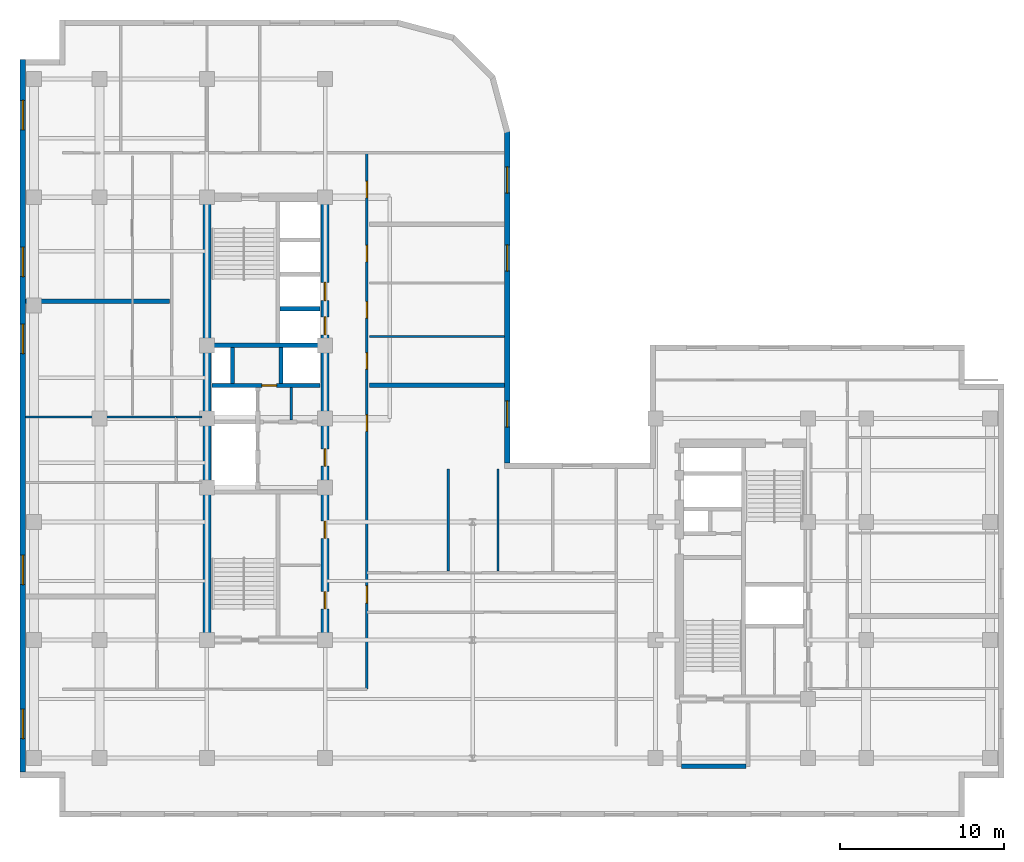
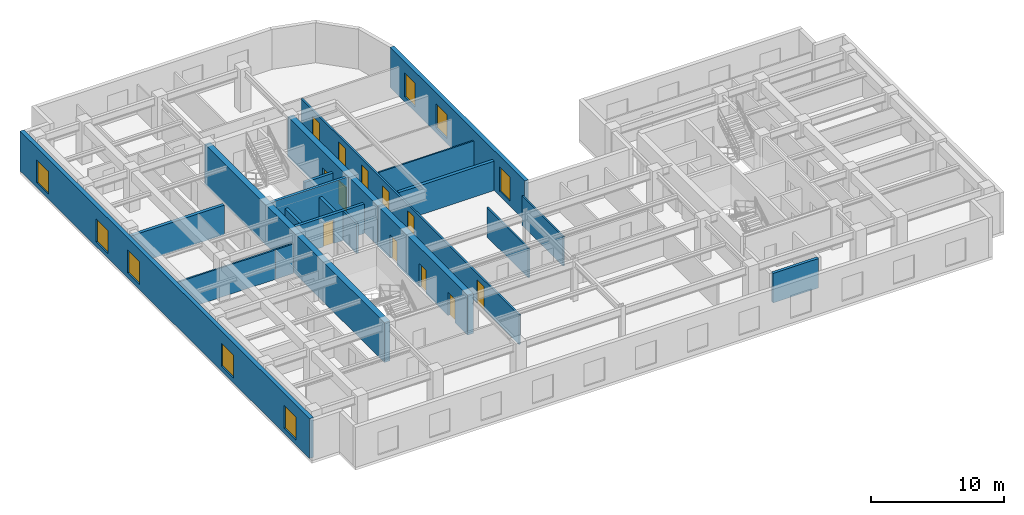
# One storey, part 5 of 11: 20 walls, 12 doors, 8 windows, 20 openings.
"""IFC4 building model written with IfcOpenShell, lengths in metres."""

from ifc_helpers import new_model, entity, si_unit, converted_unit, direction, frame, origin_with_axes, origin_2d_with_axis, place, context, subcontext, project, spatial, polyline, rectangle, outline, extrude, material, layer, layer_set, type_object, element, fill, save


model = new_model("IFC4")

# Units and contexts
model_context = context("Model", 3, precision=1e-05, world=origin_with_axes(), true_north=direction((0.0, 1.0)))
body_context = subcontext(model_context, "Body", "Model", "MODEL_VIEW")
ifc_project = project(units=[si_unit("LENGTHUNIT", "METRE"), si_unit("AREAUNIT", "SQUARE_METRE"), si_unit("VOLUMEUNIT", "CUBIC_METRE"), converted_unit("PLANEANGLEUNIT", "DEGREE", entity("IfcPlaneAngleMeasure", 0.017453292519943295), si_unit("PLANEANGLEUNIT", "RADIAN"), dimensions=[0, 0, 0, 0, 0, 0, 0]), si_unit("MASSUNIT", "GRAM", prefix="KILO"), si_unit("THERMODYNAMICTEMPERATUREUNIT", "KELVIN")], contexts=[model_context])

# Site, building, storey
site_placement = place(None, origin_with_axes())
site = spatial("IfcSite", under=ifc_project, at=site_placement, CompositionType="ELEMENT")
building_placement = place(site_placement, origin_with_axes())
building = spatial("IfcBuilding", under=site, at=building_placement, Name="Varnlund Millrace Tower", CompositionType="ELEMENT")
storey_placement = place(building_placement, frame((0.0, 0.0, 204.3), z_axis=(0.0, 0.0, 1.0), x_axis=(1.0, 0.0, 0.0)))
storey = spatial("IfcBuildingStorey", under=building, at=storey_placement, Name="L50", CompositionType="ELEMENT", Elevation=204.3)

# Wall
ifc_material_1 = material(Name="Concrete C70/85", Category="concrete")
ifc_layer_1 = layer(ifc_material_1, 0.5, Name="Concrete C70/85")
ifc_layer_set_1 = layer_set([ifc_layer_1], Name="Concrete C70/85")
wall_type_1 = type_object("IfcWallType", Name="Type-CoreWall-Shear-500-C70", PredefinedType="SHEAR", material=ifc_layer_set_1)
wall_1_placement = place(storey_placement, frame((11.4, 10.8, 0.0), z_axis=(0.0, 0.0, 1.0), x_axis=(0.0, 1.0, 0.0)))
element("IfcWall", 1, at=wall_1_placement, inside=storey, type_object=wall_type_1, Name="Type-CoreWall-Shear-500-C70", PredefinedType="SHEAR", context=body_context, shape_type="SweptSolid", body=[
    extrude(outline(polyline([(0.0, -0.25), (27.0, -0.25), (27.0, 0.25), (0.0, 0.25), (0.0, -0.25)])), origin_with_axes(), (0.0, 0.0, 1.0), 3.66),
])

# Wall, openings, doors
wall_2_placement = place(storey_placement, frame((18.6, 10.8, 0.0), z_axis=(0.0, 0.0, 1.0), x_axis=(0.0, 1.0, 0.0)))
wall_2 = element("IfcWall", 2, at=wall_2_placement, inside=storey, type_object=wall_type_1, Name="Type-CoreWall-Shear-500-C70", PredefinedType="SHEAR", context=body_context, shape_type="SweptSolid", body=[
    extrude(outline(polyline([(0.0, -0.25), (13.5, -0.25), (13.5, 0.25), (0.0, 0.25), (0.0, -0.25)])), origin_with_axes(), (0.0, 0.0, 1.0), 3.66),
])
opening_1_placement = place(wall_2_placement, frame((11.125, 0.0, 0.0), z_axis=(0.0, 0.0, 1.0), x_axis=(1.0, 0.0, 0.0)))
opening_1 = element("IfcOpeningElement", 3, at=opening_1_placement, cuts=wall_2, Name="Opening L50:DR-FFLOB-A", PredefinedType="OPENING", context=body_context, shape_type="SweptSolid", body=[
    extrude(rectangle(XDim=1.05, YDim=0.52, at=origin_2d_with_axis()), origin_with_axes(), (0.0, 0.0, 1.0), 2.15),
])
opening_2_placement = place(wall_2_placement, frame((2.425, 0.0, 0.0), z_axis=(0.0, 0.0, 1.0), x_axis=(1.0, 0.0, 0.0)))
opening_2 = element("IfcOpeningElement", 4, at=opening_2_placement, cuts=wall_2, Name="Opening L50:DR-RECL-A1-1", PredefinedType="OPENING", context=body_context, shape_type="SweptSolid", body=[
    extrude(rectangle(XDim=1.05, YDim=0.52, at=origin_2d_with_axis()), origin_with_axes(), (0.0, 0.0, 1.0), 2.15),
])
opening_3_placement = place(wall_2_placement, frame((6.725, 0.0, 0.0), z_axis=(0.0, 0.0, 1.0), x_axis=(1.0, 0.0, 0.0)))
opening_3 = element("IfcOpeningElement", 5, at=opening_3_placement, cuts=wall_2, Name="Opening L50:DR-RECL-A1-2", PredefinedType="OPENING", context=body_context, shape_type="SweptSolid", body=[
    extrude(rectangle(XDim=1.05, YDim=0.52, at=origin_2d_with_axis()), origin_with_axes(), (0.0, 0.0, 1.0), 2.15),
])
ifc_material_2 = material(Name="Smoke-barrier hollow steel fire door", Category="steel")
door_type_1 = type_object("IfcDoorType", Name="Type-FireDoor-Lobby-1050X2150", OperationType="NOTDEFINED", PredefinedType="DOOR", material=ifc_material_2)
door_1_placement = place(wall_2_placement, frame((11.125, 0.0, 0.0), z_axis=(0.0, 0.0, 1.0), x_axis=(1.0, 0.0, 0.0)))
door_1 = element("IfcDoor", 6, at=door_1_placement, inside=storey, type_object=door_type_1, Name="Type-FireDoor-Lobby-1050X2150", OperationType="SINGLE_SWING_LEFT", OverallHeight=2.15, OverallWidth=1.05, PredefinedType="DOOR", context=body_context, shape_type="SweptSolid", body=[
    extrude(rectangle(XDim=1.05, YDim=0.09, at=origin_2d_with_axis()), origin_with_axes(), (0.0, 0.0, 1.0), 2.15),
])
fill(opening_1, door_1)
door_2_placement = place(wall_2_placement, frame((2.425, 0.0, 0.0), z_axis=(0.0, 0.0, 1.0), x_axis=(1.0, 0.0, 0.0)))
door_2 = element("IfcDoor", 7, at=door_2_placement, inside=storey, type_object=door_type_1, Name="Type-FireDoor-Lobby-1050X2150", OperationType="SINGLE_SWING_LEFT", OverallHeight=2.15, OverallWidth=1.05, PredefinedType="DOOR", context=body_context, shape_type="SweptSolid", body=[
    extrude(rectangle(XDim=1.05, YDim=0.09, at=origin_2d_with_axis()), origin_with_axes(), (0.0, 0.0, 1.0), 2.15),
])
fill(opening_2, door_2)
door_3_placement = place(wall_2_placement, frame((6.725, 0.0, 0.0), z_axis=(0.0, 0.0, 1.0), x_axis=(1.0, 0.0, 0.0)))
door_3 = element("IfcDoor", 8, at=door_3_placement, inside=storey, type_object=door_type_1, Name="Type-FireDoor-Lobby-1050X2150", OperationType="SINGLE_SWING_RIGHT", OverallHeight=2.15, OverallWidth=1.05, PredefinedType="DOOR", context=body_context, shape_type="SweptSolid", body=[
    extrude(rectangle(XDim=1.05, YDim=0.09, at=origin_2d_with_axis()), origin_with_axes(), (0.0, 0.0, 1.0), 2.15),
])
fill(opening_3, door_3)

wall_3_placement = place(storey_placement, frame((18.6, 24.3, 0.0), z_axis=(0.0, 0.0, 1.0), x_axis=(0.0, 1.0, 0.0)))
wall_3 = element("IfcWall", 9, at=wall_3_placement, inside=storey, type_object=wall_type_1, Name="Type-CoreWall-Shear-500-C70", PredefinedType="SHEAR", context=body_context, shape_type="SweptSolid", body=[
    extrude(outline(polyline([(0.0, -0.25), (13.5, -0.25), (13.5, 0.25), (0.0, 0.25), (0.0, -0.25)])), origin_with_axes(), (0.0, 0.0, 1.0), 3.66),
])
opening_4_placement = place(wall_3_placement, frame((5.65, 0.0, 0.0), z_axis=(0.0, 0.0, 1.0), x_axis=(1.0, 0.0, 0.0)))
opening_4 = element("IfcOpeningElement", 10, at=opening_4_placement, cuts=wall_3, Name="Opening L50:LD-ELV-M1", PredefinedType="OPENING", context=body_context, shape_type="SweptSolid", body=[
    extrude(rectangle(XDim=1.1, YDim=0.52, at=origin_2d_with_axis()), origin_with_axes(), (0.0, 0.0, 1.0), 2.15),
])
opening_5_placement = place(wall_3_placement, frame((7.75, 0.0, 0.0), z_axis=(0.0, 0.0, 1.0), x_axis=(1.0, 0.0, 0.0)))
opening_5 = element("IfcOpeningElement", 11, at=opening_5_placement, cuts=wall_3, Name="Opening L50:LD-ELV-M2", PredefinedType="OPENING", context=body_context, shape_type="SweptSolid", body=[
    extrude(rectangle(XDim=1.1, YDim=0.52, at=origin_2d_with_axis()), origin_with_axes(), (0.0, 0.0, 1.0), 2.15),
])
ifc_material_3 = material(Name="Stainless and architectural bronze sliding landing door")
door_type_2 = type_object("IfcDoorType", Name="Type-LiftLandingDoor-1100X2150", OperationType="NOTDEFINED", PredefinedType="DOOR", material=ifc_material_3)
door_4_placement = place(wall_3_placement, frame((5.65, 0.0, 0.0), z_axis=(0.0, 0.0, 1.0), x_axis=(1.0, 0.0, 0.0)))
door_4 = element("IfcDoor", 12, at=door_4_placement, inside=storey, type_object=door_type_2, Name="Type-LiftLandingDoor-1100X2150", OperationType="SLIDING_TO_LEFT", OverallHeight=2.15, OverallWidth=1.1, PredefinedType="DOOR", context=body_context, shape_type="SweptSolid", body=[
    extrude(rectangle(XDim=1.1, YDim=0.09, at=origin_2d_with_axis()), origin_with_axes(), (0.0, 0.0, 1.0), 2.15),
])
fill(opening_4, door_4)
door_5_placement = place(wall_3_placement, frame((7.75, 0.0, 0.0), z_axis=(0.0, 0.0, 1.0), x_axis=(1.0, 0.0, 0.0)))
door_5 = element("IfcDoor", 13, at=door_5_placement, inside=storey, type_object=door_type_2, Name="Type-LiftLandingDoor-1100X2150", OperationType="SLIDING_TO_RIGHT", OverallHeight=2.15, OverallWidth=1.1, PredefinedType="DOOR", context=body_context, shape_type="SweptSolid", body=[
    extrude(rectangle(XDim=1.1, YDim=0.09, at=origin_2d_with_axis()), origin_with_axes(), (0.0, 0.0, 1.0), 2.15),
])
fill(opening_5, door_5)

# Wall, openings, windows
ifc_material_4 = material(Name="Precast concrete C50/60", Category="concrete")
ifc_layer_2 = layer(ifc_material_4, 0.34, Name="Precast concrete C50/60")
ifc_layer_set_2 = layer_set([ifc_layer_2], Name="Precast concrete C50/60")
wall_type_2 = type_object("IfcWallType", Name="Type-ExtWall-Precast-Upper-340", PredefinedType="SOLIDWALL", material=ifc_layer_set_2)
wall_4_placement = place(storey_placement, frame((0.17, 2.74, 0.0), z_axis=(0.0, 0.0, 1.0), x_axis=(0.0, 1.0, 0.0)))
wall_4 = element("IfcWall", 14, at=wall_4_placement, inside=storey, type_object=wall_type_2, Name="Type-ExtWall-Precast-Upper-340", PredefinedType="SOLIDWALL", context=body_context, shape_type="SweptSolid", body=[
    extrude(outline(polyline([(0.0, -0.17), (43.46, -0.17), (43.46, 0.17), (0.0, 0.17), (0.0, -0.17)])), origin_with_axes(), (0.0, 0.0, 1.0), 3.66),
])
opening_6_placement = place(wall_4_placement, frame((2.948, 0.0, 0.45), z_axis=(0.0, 0.0, 1.0), x_axis=(1.0, 0.0, 0.0)))
opening_6 = element("IfcOpeningElement", 15, at=opening_6_placement, cuts=wall_4, Name="Opening L50:WN-19", PredefinedType="OPENING", context=body_context, shape_type="SweptSolid", body=[
    extrude(rectangle(XDim=1.8, YDim=0.36, at=origin_2d_with_axis()), origin_with_axes(), (0.0, 0.0, 1.0), 2.1),
])
opening_7_placement = place(wall_4_placement, frame((12.339, 0.0, 0.45), z_axis=(0.0, 0.0, 1.0), x_axis=(1.0, 0.0, 0.0)))
opening_7 = element("IfcOpeningElement", 16, at=opening_7_placement, cuts=wall_4, Name="Opening L50:WN-20", PredefinedType="OPENING", context=body_context, shape_type="SweptSolid", body=[
    extrude(rectangle(XDim=1.8, YDim=0.36, at=origin_2d_with_axis()), origin_with_axes(), (0.0, 0.0, 1.0), 2.1),
])
opening_8_placement = place(wall_4_placement, frame((26.426, 0.0, 0.45), z_axis=(0.0, 0.0, 1.0), x_axis=(1.0, 0.0, 0.0)))
opening_8 = element("IfcOpeningElement", 17, at=opening_8_placement, cuts=wall_4, Name="Opening L50:WN-21", PredefinedType="OPENING", context=body_context, shape_type="SweptSolid", body=[
    extrude(rectangle(XDim=1.8, YDim=0.36, at=origin_2d_with_axis()), origin_with_axes(), (0.0, 0.0, 1.0), 2.1),
])
opening_9_placement = place(wall_4_placement, frame((31.121, 0.0, 0.45), z_axis=(0.0, 0.0, 1.0), x_axis=(1.0, 0.0, 0.0)))
opening_9 = element("IfcOpeningElement", 18, at=opening_9_placement, cuts=wall_4, Name="Opening L50:WN-22", PredefinedType="OPENING", context=body_context, shape_type="SweptSolid", body=[
    extrude(rectangle(XDim=1.8, YDim=0.36, at=origin_2d_with_axis()), origin_with_axes(), (0.0, 0.0, 1.0), 2.1),
])
opening_10_placement = place(wall_4_placement, frame((40.062, 0.0, 0.45), z_axis=(0.0, 0.0, 1.0), x_axis=(1.0, 0.0, 0.0)))
opening_10 = element("IfcOpeningElement", 19, at=opening_10_placement, cuts=wall_4, Name="Opening L50:WN-23", PredefinedType="OPENING", context=body_context, shape_type="SweptSolid", body=[
    extrude(rectangle(XDim=1.8, YDim=0.36, at=origin_2d_with_axis()), origin_with_axes(), (0.0, 0.0, 1.0), 2.1),
])
ifc_material_5 = material(Name="Argon low-e triple glazing in thermally broken bronze frame", Category="glass")
window_type_1 = type_object("IfcWindowType", Name="Type-Window-Punched-1800X2100", PartitioningType="SINGLE_PANEL", PredefinedType="WINDOW", material=ifc_material_5)
window_1_placement = place(wall_4_placement, frame((2.948, 0.0, 0.45), z_axis=(0.0, 0.0, 1.0), x_axis=(1.0, 0.0, 0.0)))
window_1 = element("IfcWindow", 20, at=window_1_placement, inside=storey, type_object=window_type_1, Name="Type-Window-Punched-1800X2100", OverallHeight=2.1, OverallWidth=1.8, PredefinedType="WINDOW", context=body_context, shape_type="SweptSolid", body=[
    extrude(rectangle(XDim=1.8, YDim=0.09, at=origin_2d_with_axis()), origin_with_axes(), (0.0, 0.0, 1.0), 2.1),
])
fill(opening_6, window_1)
window_2_placement = place(wall_4_placement, frame((12.339, 0.0, 0.45), z_axis=(0.0, 0.0, 1.0), x_axis=(1.0, 0.0, 0.0)))
window_2 = element("IfcWindow", 21, at=window_2_placement, inside=storey, type_object=window_type_1, Name="Type-Window-Punched-1800X2100", OverallHeight=2.1, OverallWidth=1.8, PredefinedType="WINDOW", context=body_context, shape_type="SweptSolid", body=[
    extrude(rectangle(XDim=1.8, YDim=0.09, at=origin_2d_with_axis()), origin_with_axes(), (0.0, 0.0, 1.0), 2.1),
])
fill(opening_7, window_2)
window_3_placement = place(wall_4_placement, frame((26.426, 0.0, 0.45), z_axis=(0.0, 0.0, 1.0), x_axis=(1.0, 0.0, 0.0)))
window_3 = element("IfcWindow", 22, at=window_3_placement, inside=storey, type_object=window_type_1, Name="Type-Window-Punched-1800X2100", OverallHeight=2.1, OverallWidth=1.8, PredefinedType="WINDOW", context=body_context, shape_type="SweptSolid", body=[
    extrude(rectangle(XDim=1.8, YDim=0.09, at=origin_2d_with_axis()), origin_with_axes(), (0.0, 0.0, 1.0), 2.1),
])
fill(opening_8, window_3)
window_4_placement = place(wall_4_placement, frame((31.121, 0.0, 0.45), z_axis=(0.0, 0.0, 1.0), x_axis=(1.0, 0.0, 0.0)))
window_4 = element("IfcWindow", 23, at=window_4_placement, inside=storey, type_object=window_type_1, Name="Type-Window-Punched-1800X2100", OverallHeight=2.1, OverallWidth=1.8, PredefinedType="WINDOW", context=body_context, shape_type="SweptSolid", body=[
    extrude(rectangle(XDim=1.8, YDim=0.09, at=origin_2d_with_axis()), origin_with_axes(), (0.0, 0.0, 1.0), 2.1),
])
fill(opening_9, window_4)
window_5_placement = place(wall_4_placement, frame((40.062, 0.0, 0.45), z_axis=(0.0, 0.0, 1.0), x_axis=(1.0, 0.0, 0.0)))
window_5 = element("IfcWindow", 24, at=window_5_placement, inside=storey, type_object=window_type_1, Name="Type-Window-Punched-1800X2100", OverallHeight=2.1, OverallWidth=1.8, PredefinedType="WINDOW", context=body_context, shape_type="SweptSolid", body=[
    extrude(rectangle(XDim=1.8, YDim=0.09, at=origin_2d_with_axis()), origin_with_axes(), (0.0, 0.0, 1.0), 2.1),
])
fill(opening_10, window_5)

wall_5_placement = place(storey_placement, frame((29.711, 41.82, 0.0), z_axis=(0.0, 0.0, 1.0), x_axis=(0.0, -1.0, 0.0)))
wall_5 = element("IfcWall", 25, at=wall_5_placement, inside=storey, type_object=wall_type_2, Name="Type-ExtWall-Precast-Upper-340", PredefinedType="SOLIDWALL", context=body_context, shape_type="SweptSolid", body=[
    extrude(outline(polyline([(0.0, -0.17), (20.22, -0.17), (20.22, 0.17), (0.0, 0.17), (0.0, -0.17)])), origin_with_axes(), (0.0, 0.0, 1.0), 3.66),
])
opening_11_placement = place(wall_5_placement, frame((2.978, 0.0, 0.45), z_axis=(0.0, 0.0, 1.0), x_axis=(1.0, 0.0, 0.0)))
opening_11 = element("IfcOpeningElement", 26, at=opening_11_placement, cuts=wall_5, Name="Opening L50:WN-27", PredefinedType="OPENING", context=body_context, shape_type="SweptSolid", body=[
    extrude(rectangle(XDim=1.6, YDim=0.36, at=origin_2d_with_axis()), origin_with_axes(), (0.0, 0.0, 1.0), 2.2),
])
opening_12_placement = place(wall_5_placement, frame((7.733, 0.0, 0.45), z_axis=(0.0, 0.0, 1.0), x_axis=(1.0, 0.0, 0.0)))
opening_12 = element("IfcOpeningElement", 27, at=opening_12_placement, cuts=wall_5, Name="Opening L50:WN-28", PredefinedType="OPENING", context=body_context, shape_type="SweptSolid", body=[
    extrude(rectangle(XDim=1.6, YDim=0.36, at=origin_2d_with_axis()), origin_with_axes(), (0.0, 0.0, 1.0), 2.2),
])
opening_13_placement = place(wall_5_placement, frame((17.242, 0.0, 0.45), z_axis=(0.0, 0.0, 1.0), x_axis=(1.0, 0.0, 0.0)))
opening_13 = element("IfcOpeningElement", 28, at=opening_13_placement, cuts=wall_5, Name="Opening L50:WN-29", PredefinedType="OPENING", context=body_context, shape_type="SweptSolid", body=[
    extrude(rectangle(XDim=1.6, YDim=0.36, at=origin_2d_with_axis()), origin_with_axes(), (0.0, 0.0, 1.0), 2.2),
])
window_type_2 = type_object("IfcWindowType", Name="Type-Window-Slot-1600X2200", PartitioningType="SINGLE_PANEL", PredefinedType="WINDOW", material=ifc_material_5)
window_6_placement = place(wall_5_placement, frame((2.978, 0.0, 0.45), z_axis=(0.0, 0.0, 1.0), x_axis=(1.0, 0.0, 0.0)))
window_6 = element("IfcWindow", 29, at=window_6_placement, inside=storey, type_object=window_type_2, Name="Type-Window-Slot-1600X2200", OverallHeight=2.2, OverallWidth=1.6, PredefinedType="WINDOW", context=body_context, shape_type="SweptSolid", body=[
    extrude(rectangle(XDim=1.6, YDim=0.09, at=origin_2d_with_axis()), origin_with_axes(), (0.0, 0.0, 1.0), 2.2),
])
fill(opening_11, window_6)
window_7_placement = place(wall_5_placement, frame((7.733, 0.0, 0.45), z_axis=(0.0, 0.0, 1.0), x_axis=(1.0, 0.0, 0.0)))
window_7 = element("IfcWindow", 30, at=window_7_placement, inside=storey, type_object=window_type_2, Name="Type-Window-Slot-1600X2200", OverallHeight=2.2, OverallWidth=1.6, PredefinedType="WINDOW", context=body_context, shape_type="SweptSolid", body=[
    extrude(rectangle(XDim=1.6, YDim=0.09, at=origin_2d_with_axis()), origin_with_axes(), (0.0, 0.0, 1.0), 2.2),
])
fill(opening_12, window_7)
window_8_placement = place(wall_5_placement, frame((17.242, 0.0, 0.45), z_axis=(0.0, 0.0, 1.0), x_axis=(1.0, 0.0, 0.0)))
window_8 = element("IfcWindow", 31, at=window_8_placement, inside=storey, type_object=window_type_2, Name="Type-Window-Slot-1600X2200", OverallHeight=2.2, OverallWidth=1.6, PredefinedType="WINDOW", context=body_context, shape_type="SweptSolid", body=[
    extrude(rectangle(XDim=1.6, YDim=0.09, at=origin_2d_with_axis()), origin_with_axes(), (0.0, 0.0, 1.0), 2.2),
])
fill(opening_13, window_8)

# Walls
ifc_material_6 = material(Name="Double-stud STC-60 conference acoustic partition", Category="gypsum")
ifc_layer_3 = layer(ifc_material_6, 0.28, Name="Double-stud STC-60 conference acoustic partition")
ifc_layer_set_3 = layer_set([ifc_layer_3], Name="Double-stud STC-60 conference acoustic partition")
wall_type_3 = type_object("IfcWallType", Name="Type-Partition-Acoustic-280", PredefinedType="PARTITIONING", material=ifc_layer_set_3)
wall_6_placement = place(storey_placement, frame((0.335, 31.455, 0.0), z_axis=(0.0, 0.0, 1.0), x_axis=(1.0, 0.0, 0.0)))
element("IfcWall", 32, at=wall_6_placement, inside=storey, type_object=wall_type_3, Name="Type-Partition-Acoustic-280", PredefinedType="PARTITIONING", context=body_context, shape_type="SweptSolid", body=[
    extrude(outline(polyline([(0.0, -0.14), (8.795, -0.14), (8.795, 0.14), (0.0, 0.14), (0.0, -0.14)])), origin_with_axes(), (0.0, 0.0, 1.0), 2.7),
])
wall_7_placement = place(storey_placement, frame((21.3, 26.324, 0.0), z_axis=(0.0, 0.0, 1.0), x_axis=(1.0, 0.0, 0.0)))
element("IfcWall", 33, at=wall_7_placement, inside=storey, type_object=wall_type_3, Name="Type-Partition-Acoustic-280", PredefinedType="PARTITIONING", context=body_context, shape_type="SweptSolid", body=[
    extrude(outline(polyline([(0.0, -0.14), (8.246, -0.14), (8.246, 0.14), (0.0, 0.14), (0.0, -0.14)])), origin_with_axes(), (0.0, 0.0, 1.0), 2.7),
])
ifc_material_7 = material(Name="Fire-rated gypsum board on cold-formed steel framing", Category="steel")
ifc_layer_4 = layer(ifc_material_7, 0.16, Name="Fire-rated gypsum board on cold-formed steel framing")
ifc_layer_set_4 = layer_set([ifc_layer_4], Name="Fire-rated gypsum board on cold-formed steel framing")
wall_type_4 = type_object("IfcWallType", Name="Type-Partition-Corridor-160", PredefinedType="PARTITIONING", material=ifc_layer_set_4)
wall_8_placement = place(storey_placement, frame((16.55, 24.22, 0.0), z_axis=(0.0, 0.0, 1.0), x_axis=(0.0, 1.0, 0.0)))
element("IfcWall", 34, at=wall_8_placement, inside=storey, type_object=wall_type_4, Name="Type-Partition-Corridor-160", PredefinedType="PARTITIONING", context=body_context, shape_type="SweptSolid", body=[
    extrude(outline(polyline([(0.0, -0.08), (1.98, -0.08), (1.98, 0.08), (0.0, 0.08), (0.0, -0.08)])), origin_with_axes(), (0.0, 0.0, 1.0), 2.7),
])

# Wall, openings, doors
wall_9_placement = place(storey_placement, frame((21.15, 7.8, 0.0), z_axis=(0.0, 0.0, 1.0), x_axis=(0.0, 1.0, 0.0)))
wall_9 = element("IfcWall", 35, at=wall_9_placement, inside=storey, type_object=wall_type_4, Name="Type-Partition-Corridor-160", PredefinedType="PARTITIONING", context=body_context, shape_type="SweptSolid", body=[
    extrude(outline(polyline([(0.0, -0.08), (32.7, -0.08), (32.7, 0.08), (0.0, 0.08), (0.0, -0.08)])), origin_with_axes(), (0.0, 0.0, 1.0), 2.7),
])
opening_14_placement = place(wall_9_placement, frame((16.227, 0.0, 0.0), z_axis=(0.0, 0.0, 1.0), x_axis=(1.0, 0.0, 0.0)))
opening_14 = element("IfcOpeningElement", 36, at=opening_14_placement, cuts=wall_9, Name="Opening L50:DR-FLR-01", PredefinedType="OPENING", context=body_context, shape_type="SweptSolid", body=[
    extrude(rectangle(XDim=1.0, YDim=0.18, at=origin_2d_with_axis()), origin_with_axes(), (0.0, 0.0, 1.0), 2.15),
])
opening_15_placement = place(wall_9_placement, frame((20.01, 0.0, 0.0), z_axis=(0.0, 0.0, 1.0), x_axis=(1.0, 0.0, 0.0)))
opening_15 = element("IfcOpeningElement", 37, at=opening_15_placement, cuts=wall_9, Name="Opening L50:DR-FLR-02", PredefinedType="OPENING", context=body_context, shape_type="SweptSolid", body=[
    extrude(rectangle(XDim=1.0, YDim=0.18, at=origin_2d_with_axis()), origin_with_axes(), (0.0, 0.0, 1.0), 2.15),
])
opening_16_placement = place(wall_9_placement, frame((23.1305, 0.0, 0.0), z_axis=(0.0, 0.0, 1.0), x_axis=(1.0, 0.0, 0.0)))
opening_16 = element("IfcOpeningElement", 38, at=opening_16_placement, cuts=wall_9, Name="Opening L50:DR-FLR-03", PredefinedType="OPENING", context=body_context, shape_type="SweptSolid", body=[
    extrude(rectangle(XDim=1.0, YDim=0.18, at=origin_2d_with_axis()), origin_with_axes(), (0.0, 0.0, 1.0), 2.15),
])
opening_17_placement = place(wall_9_placement, frame((26.564, 0.0, 0.0), z_axis=(0.0, 0.0, 1.0), x_axis=(1.0, 0.0, 0.0)))
opening_17 = element("IfcOpeningElement", 39, at=opening_17_placement, cuts=wall_9, Name="Opening L50:DR-FLR-04", PredefinedType="OPENING", context=body_context, shape_type="SweptSolid", body=[
    extrude(rectangle(XDim=1.0, YDim=0.18, at=origin_2d_with_axis()), origin_with_axes(), (0.0, 0.0, 1.0), 2.15),
])
opening_18_placement = place(wall_9_placement, frame((30.4665, 0.0, 0.0), z_axis=(0.0, 0.0, 1.0), x_axis=(1.0, 0.0, 0.0)))
opening_18 = element("IfcOpeningElement", 40, at=opening_18_placement, cuts=wall_9, Name="Opening L50:DR-FLR-05", PredefinedType="OPENING", context=body_context, shape_type="SweptSolid", body=[
    extrude(rectangle(XDim=1.0, YDim=0.18, at=origin_2d_with_axis()), origin_with_axes(), (0.0, 0.0, 1.0), 2.15),
])
opening_19_placement = place(wall_9_placement, frame((5.775, 0.0, 0.0), z_axis=(0.0, 0.0, 1.0), x_axis=(1.0, 0.0, 0.0)))
opening_19 = element("IfcOpeningElement", 41, at=opening_19_placement, cuts=wall_9, Name="Opening L50:DR-KN-W", PredefinedType="OPENING", context=body_context, shape_type="SweptSolid", body=[
    extrude(rectangle(XDim=1.05, YDim=0.18, at=origin_2d_with_axis()), origin_with_axes(), (0.0, 0.0, 1.0), 2.15),
])
door_6_placement = place(wall_9_placement, frame((5.775, 0.0, 0.0), z_axis=(0.0, 0.0, 1.0), x_axis=(1.0, 0.0, 0.0)))
door_6 = element("IfcDoor", 42, at=door_6_placement, inside=storey, type_object=door_type_1, Name="Type-FireDoor-Lobby-1050X2150", OperationType="SINGLE_SWING_LEFT", OverallHeight=2.15, OverallWidth=1.05, PredefinedType="DOOR", context=body_context, shape_type="SweptSolid", body=[
    extrude(rectangle(XDim=1.05, YDim=0.09, at=origin_2d_with_axis()), origin_with_axes(), (0.0, 0.0, 1.0), 2.15),
])
fill(opening_19, door_6)
ifc_material_8 = material(Name="Solid-core white oak and bronze frame door")
door_type_3 = type_object("IfcDoorType", Name="Type-IntDoor-Office-1000X2150", OperationType="NOTDEFINED", PredefinedType="DOOR", material=ifc_material_8)
door_7_placement = place(wall_9_placement, frame((16.227, 0.0, 0.0), z_axis=(0.0, 0.0, 1.0), x_axis=(1.0, 0.0, 0.0)))
door_7 = element("IfcDoor", 43, at=door_7_placement, inside=storey, type_object=door_type_3, Name="Type-IntDoor-Office-1000X2150", OperationType="SINGLE_SWING_LEFT", OverallHeight=2.15, OverallWidth=1.0, PredefinedType="DOOR", context=body_context, shape_type="SweptSolid", body=[
    extrude(rectangle(XDim=1.0, YDim=0.09, at=origin_2d_with_axis()), origin_with_axes(), (0.0, 0.0, 1.0), 2.15),
])
fill(opening_14, door_7)
door_8_placement = place(wall_9_placement, frame((20.01, 0.0, 0.0), z_axis=(0.0, 0.0, 1.0), x_axis=(1.0, 0.0, 0.0)))
door_8 = element("IfcDoor", 44, at=door_8_placement, inside=storey, type_object=door_type_3, Name="Type-IntDoor-Office-1000X2150", OperationType="SINGLE_SWING_RIGHT", OverallHeight=2.15, OverallWidth=1.0, PredefinedType="DOOR", context=body_context, shape_type="SweptSolid", body=[
    extrude(rectangle(XDim=1.0, YDim=0.09, at=origin_2d_with_axis()), origin_with_axes(), (0.0, 0.0, 1.0), 2.15),
])
fill(opening_15, door_8)
door_9_placement = place(wall_9_placement, frame((23.1305, 0.0, 0.0), z_axis=(0.0, 0.0, 1.0), x_axis=(1.0, 0.0, 0.0)))
door_9 = element("IfcDoor", 45, at=door_9_placement, inside=storey, type_object=door_type_3, Name="Type-IntDoor-Office-1000X2150", OperationType="SINGLE_SWING_LEFT", OverallHeight=2.15, OverallWidth=1.0, PredefinedType="DOOR", context=body_context, shape_type="SweptSolid", body=[
    extrude(rectangle(XDim=1.0, YDim=0.09, at=origin_2d_with_axis()), origin_with_axes(), (0.0, 0.0, 1.0), 2.15),
])
fill(opening_16, door_9)
door_10_placement = place(wall_9_placement, frame((26.564, 0.0, 0.0), z_axis=(0.0, 0.0, 1.0), x_axis=(1.0, 0.0, 0.0)))
door_10 = element("IfcDoor", 46, at=door_10_placement, inside=storey, type_object=door_type_3, Name="Type-IntDoor-Office-1000X2150", OperationType="SINGLE_SWING_RIGHT", OverallHeight=2.15, OverallWidth=1.0, PredefinedType="DOOR", context=body_context, shape_type="SweptSolid", body=[
    extrude(rectangle(XDim=1.0, YDim=0.09, at=origin_2d_with_axis()), origin_with_axes(), (0.0, 0.0, 1.0), 2.15),
])
fill(opening_17, door_10)
door_11_placement = place(wall_9_placement, frame((30.4665, 0.0, 0.0), z_axis=(0.0, 0.0, 1.0), x_axis=(1.0, 0.0, 0.0)))
door_11 = element("IfcDoor", 47, at=door_11_placement, inside=storey, type_object=door_type_3, Name="Type-IntDoor-Office-1000X2150", OperationType="SINGLE_SWING_LEFT", OverallHeight=2.15, OverallWidth=1.0, PredefinedType="DOOR", context=body_context, shape_type="SweptSolid", body=[
    extrude(rectangle(XDim=1.0, YDim=0.09, at=origin_2d_with_axis()), origin_with_axes(), (0.0, 0.0, 1.0), 2.15),
])
fill(opening_18, door_11)

# Walls
ifc_material_9 = material(Name="Acoustic STC-50 gypsum board partition", Category="gypsum")
ifc_layer_5 = layer(ifc_material_9, 0.15, Name="Acoustic STC-50 gypsum board partition")
ifc_layer_set_5 = layer_set([ifc_layer_5], Name="Acoustic STC-50 gypsum board partition")
wall_type_5 = type_object("IfcWallType", Name="Type-Partition-Demising-150", PredefinedType="PARTITIONING", material=ifc_layer_set_5)
wall_10_placement = place(storey_placement, frame((26.11, 15.02, 0.0), z_axis=(0.0, 0.0, 1.0), x_axis=(0.0, 1.0, 0.0)))
element("IfcWall", 48, at=wall_10_placement, inside=storey, type_object=wall_type_5, Name="Type-Partition-Demising-150", PredefinedType="PARTITIONING", context=body_context, shape_type="SweptSolid", body=[
    extrude(outline(polyline([(0.0, -0.075), (6.2, -0.075), (6.2, 0.075), (0.0, 0.075), (0.0, -0.075)])), origin_with_axes(), (0.0, 0.0, 1.0), 2.7),
])
ifc_material_10 = material(Name="Gypsum board tenant partition", Category="gypsum")
ifc_layer_6 = layer(ifc_material_10, 0.125, Name="Gypsum board tenant partition")
ifc_layer_set_6 = layer_set([ifc_layer_6], Name="Gypsum board tenant partition")
wall_type_6 = type_object("IfcWallType", Name="Type-Partition-Tenant-125", PredefinedType="PARTITIONING", material=ifc_layer_set_6)
wall_11_placement = place(storey_placement, frame((21.3, 29.296, 0.0), z_axis=(0.0, 0.0, 1.0), x_axis=(1.0, 0.0, 0.0)))
element("IfcWall", 49, at=wall_11_placement, inside=storey, type_object=wall_type_6, Name="Type-Partition-Tenant-125", PredefinedType="PARTITIONING", context=body_context, shape_type="SweptSolid", body=[
    extrude(outline(polyline([(0.0, -0.0625), (8.246, -0.0625), (8.246, 0.0625), (0.0, 0.0625), (0.0, -0.0625)])), origin_with_axes(), (0.0, 0.0, 1.0), 2.7),
])
wall_12_placement = place(storey_placement, frame((29.141, 15.02, 0.0), z_axis=(0.0, 0.0, 1.0), x_axis=(0.0, 1.0, 0.0)))
element("IfcWall", 50, at=wall_12_placement, inside=storey, type_object=wall_type_6, Name="Type-Partition-Tenant-125", PredefinedType="PARTITIONING", context=body_context, shape_type="SweptSolid", body=[
    extrude(outline(polyline([(0.0, -0.0625), (6.2, -0.0625), (6.2, 0.0625), (0.0, 0.0625), (0.0, -0.0625)])), origin_with_axes(), (0.0, 0.0, 1.0), 2.7),
])
ifc_material_11 = material(Name="Moisture-resistant gypsum restroom partition", Category="gypsum")
ifc_layer_7 = layer(ifc_material_11, 0.14, Name="Moisture-resistant gypsum restroom partition")
ifc_layer_set_7 = layer_set([ifc_layer_7], Name="Moisture-resistant gypsum restroom partition")
wall_type_7 = type_object("IfcWallType", Name="Type-Partition-Wet-140", PredefinedType="PARTITIONING", material=ifc_layer_set_7)
wall_13_placement = place(storey_placement, frame((9.52, 24.4, 0.0), z_axis=(0.0, 0.0, 1.0), x_axis=(1.0, 0.0, 0.0)))
element("IfcWall", 51, at=wall_13_placement, inside=storey, type_object=wall_type_7, Name="Type-Partition-Wet-140", PredefinedType="PARTITIONING", context=body_context, shape_type="SweptSolid", body=[
    extrude(outline(polyline([(0.0, -0.07), (1.58, -0.07), (1.58, 0.07), (0.0, 0.07), (0.0, -0.07)])), origin_with_axes(), (0.0, 0.0, 1.0), 2.7),
])
wall_14_placement = place(storey_placement, frame((0.335, 24.4, 0.0), z_axis=(0.0, 0.0, 1.0), x_axis=(1.0, 0.0, 0.0)))
element("IfcWall", 52, at=wall_14_placement, inside=storey, type_object=wall_type_7, Name="Type-Partition-Wet-140", PredefinedType="PARTITIONING", context=body_context, shape_type="SweptSolid", body=[
    extrude(outline(polyline([(0.0, -0.07), (9.185, -0.07), (9.185, 0.07), (0.0, 0.07), (0.0, -0.07)])), origin_with_axes(), (0.0, 0.0, 1.0), 2.7),
])

# Wall, opening, door
ifc_material_12 = material(Name="Concrete C60/75", Category="concrete")
ifc_layer_8 = layer(ifc_material_12, 0.25, Name="Concrete C60/75")
ifc_layer_set_8 = layer_set([ifc_layer_8], Name="Concrete C60/75")
wall_type_8 = type_object("IfcWallType", Name="Type-ShaftWall-Fire-250", PredefinedType="SOLIDWALL", material=ifc_layer_set_8)
wall_15_placement = place(storey_placement, frame((11.7, 26.325, 0.0), z_axis=(0.0, 0.0, 1.0), x_axis=(1.0, 0.0, 0.0)))
wall_15 = element("IfcWall", 53, at=wall_15_placement, inside=storey, type_object=wall_type_8, Name="Type-ShaftWall-Fire-250", PredefinedType="SOLIDWALL", context=body_context, shape_type="SweptSolid", body=[
    extrude(outline(polyline([(0.0, -0.125), (6.6, -0.125), (6.6, 0.125), (0.0, 0.125), (0.0, -0.125)])), origin_with_axes(), (0.0, 0.0, 1.0), 2.7),
])
opening_20_placement = place(wall_15_placement, frame((3.5, 0.0, 0.0), z_axis=(0.0, 0.0, 1.0), x_axis=(1.0, 0.0, 0.0)))
opening_20 = element("IfcOpeningElement", 54, at=opening_20_placement, cuts=wall_15, Name="Opening L50:DR-CA-ELC", PredefinedType="OPENING", context=body_context, shape_type="SweptSolid", body=[
    extrude(rectangle(XDim=0.9, YDim=0.27, at=origin_2d_with_axis()), origin_with_axes(), (0.0, 0.0, 1.0), 2.15),
])
ifc_material_13 = material(Name="Fire-rated hollow steel service closet door", Category="steel")
door_type_4 = type_object("IfcDoorType", Name="Type-FireDoor-Closet-900X2150", OperationType="NOTDEFINED", PredefinedType="DOOR", material=ifc_material_13)
door_12_placement = place(wall_15_placement, frame((3.5, 0.0, 0.0), z_axis=(0.0, 0.0, 1.0), x_axis=(1.0, 0.0, 0.0)))
door_12 = element("IfcDoor", 55, at=door_12_placement, inside=storey, type_object=door_type_4, Name="Type-FireDoor-Closet-900X2150", OperationType="SINGLE_SWING_LEFT", OverallHeight=2.15, OverallWidth=0.9, PredefinedType="DOOR", context=body_context, shape_type="SweptSolid", body=[
    extrude(rectangle(XDim=0.9, YDim=0.09, at=origin_2d_with_axis()), origin_with_axes(), (0.0, 0.0, 1.0), 2.15),
])
fill(opening_20, door_12)

# Walls
for number, where, z_axis, x_axis, name in (
    (56, (12.96, 26.45, 0.0), (0.0, 0.0, 1.0), (0.0, 1.0, 0.0), "Type-ShaftWall-Fire-250"),
    (57, (15.925, 26.45, 0.0), (0.0, 0.0, 1.0), (0.0, 1.0, 0.0), "Type-ShaftWall-Fire-250"),
):
    element("IfcWall", number, at=place(storey_placement, frame(where, z_axis=z_axis, x_axis=x_axis)), inside=storey, type_object=wall_type_8, Name=name, PredefinedType="SOLIDWALL", context=body_context, shape_type="SweptSolid", body=[
        extrude(outline(polyline([(0.0, -0.125), (2.2, -0.125), (2.2, 0.125), (0.0, 0.125), (0.0, -0.125)])), origin_with_axes(), (0.0, 0.0, 1.0), 2.7),
    ])
wall_16_placement = place(storey_placement, frame((40.325, 3.1, 0.0), z_axis=(0.0, 0.0, 1.0), x_axis=(1.0, 0.0, 0.0)))
element("IfcWall", 58, at=wall_16_placement, inside=storey, type_object=wall_type_8, Name="Type-ShaftWall-Fire-250", PredefinedType="SOLIDWALL", context=body_context, shape_type="SweptSolid", body=[
    extrude(outline(polyline([(0.0, -0.125), (3.95, -0.125), (3.95, 0.125), (0.0, 0.125), (0.0, -0.125)])), origin_with_axes(), (0.0, 0.0, 1.0), 2.7),
])
wall_17_placement = place(storey_placement, frame((15.84, 31.0, 0.0), z_axis=(0.0, 0.0, 1.0), x_axis=(1.0, 0.0, 0.0)))
element("IfcWall", 59, at=wall_17_placement, inside=storey, type_object=wall_type_8, Name="Type-ShaftWall-Fire-250", PredefinedType="SOLIDWALL", context=body_context, shape_type="SweptSolid", body=[
    extrude(outline(polyline([(0.0, -0.125), (2.46, -0.125), (2.46, 0.125), (0.0, 0.125), (0.0, -0.125)])), origin_with_axes(), (0.0, 0.0, 1.0), 2.7),
])
wall_type_9 = type_object("IfcWallType", Name="Type-StairWall-Shear-250", PredefinedType="SHEAR", material=ifc_layer_set_8)
wall_18_placement = place(storey_placement, frame((11.65, 28.775, 0.0), z_axis=(0.0, 0.0, 1.0), x_axis=(1.0, 0.0, 0.0)))
element("IfcWall", 60, at=wall_18_placement, inside=storey, type_object=wall_type_9, Name="Type-StairWall-Shear-250", PredefinedType="SHEAR", context=body_context, shape_type="SweptSolid", body=[
    extrude(outline(polyline([(0.0, -0.125), (6.7, -0.125), (6.7, 0.125), (0.0, 0.125), (0.0, -0.125)])), origin_with_axes(), (0.0, 0.0, 1.0), 3.66),
])

save(model, "model.ifc")
